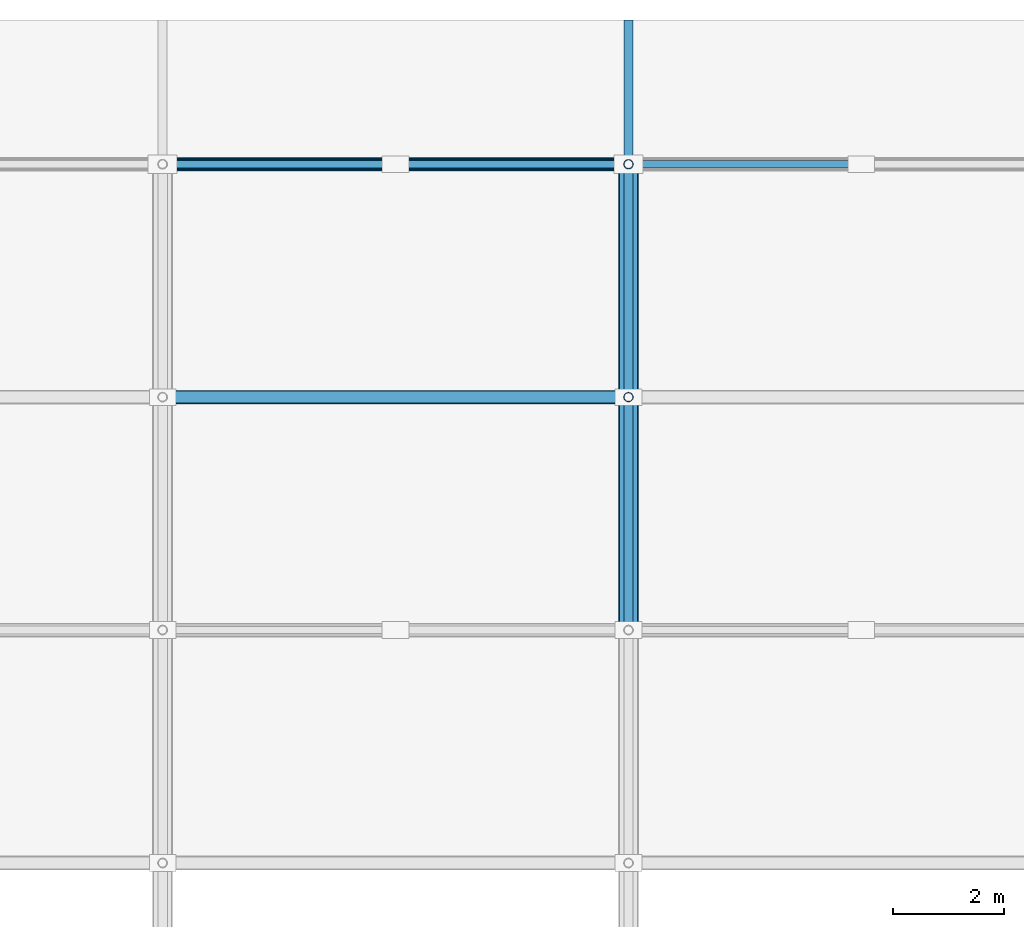
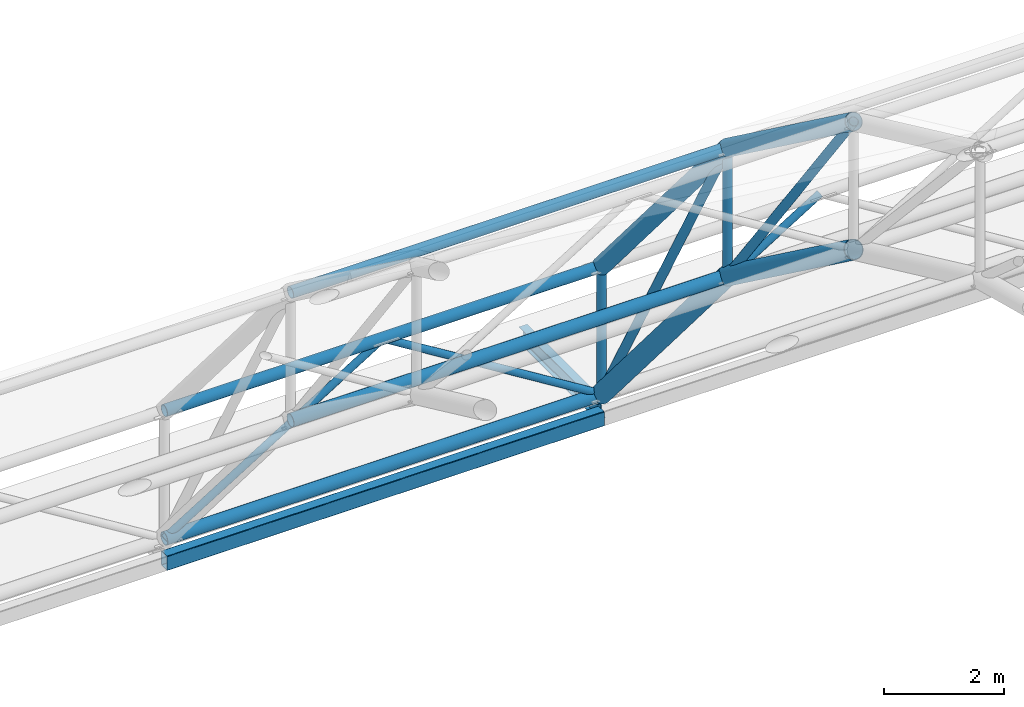
# One storey, part 42 of 103: 11 members, 6 beams.
"""IFC4 building model written with IfcOpenShell, lengths in metres."""

from ifc_helpers import new_model, si_unit, direction, frame, origin, origin_2d, place, context, subcontext, project, spatial, hollow_rectangle, hollow_circle, i_section, extrude, material, material_profile, profile_set, type_object, element, save


model = new_model("IFC4")

# Units and contexts
model_context = context("Model", 3, precision=1e-05, world=origin(), true_north=direction((0.0, 1.0)))
body_context = subcontext(model_context, "Body", "Model", "MODEL_VIEW")
ifc_project = project(units=[si_unit("LENGTHUNIT", "METRE"), si_unit("AREAUNIT", "SQUARE_METRE"), si_unit("VOLUMEUNIT", "CUBIC_METRE"), si_unit("PLANEANGLEUNIT", "RADIAN"), si_unit("MASSUNIT", "GRAM", prefix="KILO")], contexts=[model_context])

# Site, building, storey
site_placement = place(None, origin())
site = spatial("IfcSite", under=ifc_project, at=site_placement, CompositionType="ELEMENT")
building_placement = place(site_placement, origin())
building = spatial("IfcBuilding", under=site, at=building_placement, Name="Varnapada Polytechnic", CompositionType="ELEMENT")
storey_placement = place(building_placement, frame((0.0, 0.0, 18.0)))
storey = spatial("IfcBuildingStorey", under=building, at=storey_placement, Name="L04", CompositionType="ELEMENT", Elevation=18.0)

# Beam
ifc_material = material(Name="Steel S355", Category="steel")
ifc_material_profile_1 = material_profile(ifc_material, i_section(OverallWidth=0.159912109375, OverallDepth=0.330078125, WebThickness=0.007568359375, FlangeThickness=0.011474609375, FilletRadius=0.01806640625, at=origin_2d()), Name="IPE 330")
ifc_profile_set_1 = profile_set([ifc_material_profile_1], Name="Steel S355")
beam_type_1 = type_object("IfcBeamType", Name="Clerestory monitor steel rafter SB-07 (IPE 330)", PredefinedType="BEAM", material=ifc_profile_set_1)
beam_1_placement = place(storey_placement, frame((84.0, 126.0, -0.35009765625), z_axis=(0.0, 1.0, 0.0), x_axis=(-1.0, 0.0, 0.0)))
element("IfcBeam", 1, at=beam_1_placement, inside=storey, type_object=beam_type_1, Name="Workshop eave shade outlooker N.5", PredefinedType="BEAM", context=body_context, shape_type="SweptSolid", body=[
    extrude(i_section(OverallWidth=0.159912109375, OverallDepth=0.330078125, WebThickness=0.007568359375, FlangeThickness=0.011474609375, FilletRadius=0.01806640625, at=origin_2d()), origin(), (0.0, 0.0, 1.0), 2.60009765625),
])

# Members
ifc_material_profile_2 = material_profile(ifc_material, hollow_circle(Radius=0.122314453125, WallThickness=0.008056640625, at=origin_2d()), Name="CHS 244.5x8.0")
ifc_profile_set_2 = profile_set([ifc_material_profile_2], Name="Steel S355")
member_type_1 = type_object("IfcMemberType", Name="Vaulted space frame longitudinal bottom chord SFC-01 (CHS 244.5x8.0)", PredefinedType="CHORD", material=ifc_profile_set_2)
for number, where, z_axis, x_axis, name in (
    (2, (75.60009765625, 121.800048828125, 4.94921875), (1.0, 0.0, 0.0), (0.0, 1.0, 0.0), "Vaulted space frame longitudinal bottom chord 4.10"),
    (3, (75.60009765625, 126.0, 0.0), (1.0, 0.0, 0.0), (0.0, 1.0, 0.0), "Vaulted space frame longitudinal bottom chord 4.11"),
):
    element("IfcMember", number, at=place(storey_placement, frame(where, z_axis=z_axis, x_axis=x_axis)), inside=storey, type_object=member_type_1, Name=name, PredefinedType="CHORD", context=body_context, shape_type="SweptSolid", body=[
        extrude(hollow_circle(Radius=0.122314453125, WallThickness=0.008056640625, at=origin_2d()), origin(), (0.0, 0.0, 1.0), 8.39990234375),
    ])
ifc_material_profile_3 = material_profile(ifc_material, hollow_circle(Radius=0.109619140625, WallThickness=0.008056640625, at=origin_2d()), Name="CHS 219.1x8.0")
ifc_profile_set_3 = profile_set([ifc_material_profile_3], Name="Steel S355")
member_type_2 = type_object("IfcMemberType", Name="Vaulted space frame longitudinal top chord SFC-02 (CHS 219.1x8.0)", PredefinedType="CHORD", material=ifc_profile_set_3)
for number, where, z_axis, x_axis, name in (
    (4, (75.60009765625, 121.800048828125, 7.549072265625), (1.0, 0.0, 0.0), (0.0, 1.0, 0.0), "Vaulted space frame longitudinal top chord 4.10"),
    (5, (75.60009765625, 126.0, 2.60009765625), (1.0, 0.0, 0.0), (0.0, 1.0, 0.0), "Vaulted space frame longitudinal top chord 4.11"),
):
    element("IfcMember", number, at=place(storey_placement, frame(where, z_axis=z_axis, x_axis=x_axis)), inside=storey, type_object=member_type_2, Name=name, PredefinedType="CHORD", context=body_context, shape_type="SweptSolid", body=[
        extrude(hollow_circle(Radius=0.109619140625, WallThickness=0.008056640625, at=origin_2d()), origin(), (0.0, 0.0, 1.0), 8.39990234375),
    ])

# Beams
ifc_material_profile_4 = material_profile(ifc_material, hollow_circle(Radius=0.177734375, WallThickness=0.012451171875, at=origin_2d()), Name="CHS 355.6x12.5")
ifc_profile_set_4 = profile_set([ifc_material_profile_4], Name="Steel S355")
beam_type_2 = type_object("IfcBeamType", Name="Vaulted space frame primary arch rib VA-01 (CHS 355.6x12.5)", PredefinedType="BEAM", material=ifc_profile_set_4)
beam_2_placement = place(storey_placement, frame((84.0, 117.60009765625, 8.02783203125), z_axis=(0.0, 0.806528689778, -0.591194953095), x_axis=(-1.0, 0.0, 0.0)))
element("IfcBeam", 6, at=beam_2_placement, inside=storey, type_object=beam_type_2, Name="Vaulted space frame bottom arch chord 5.9", PredefinedType="BEAM", context=body_context, shape_type="SweptSolid", body=[
    extrude(hollow_circle(Radius=0.177734375, WallThickness=0.012451171875, at=origin_2d()), origin(), (0.0, 0.0, 1.0), 5.20751953125),
])
beam_3_placement = place(storey_placement, frame((84.0, 121.800048828125, 4.94921875), z_axis=(0.0, 0.647032448214, -0.762462465279), x_axis=(-1.0, 0.0, 0.0)))
element("IfcBeam", 7, at=beam_3_placement, inside=storey, type_object=beam_type_2, Name="Vaulted space frame bottom arch chord 5.10", PredefinedType="BEAM", context=body_context, shape_type="SweptSolid", body=[
    extrude(hollow_circle(Radius=0.177734375, WallThickness=0.012451171875, at=origin_2d()), origin(), (0.0, 0.0, 1.0), 6.4912109375),
])

# Members
ifc_material_profile_5 = material_profile(ifc_material, hollow_circle(Radius=0.084228515625, WallThickness=0.00634765625, at=origin_2d()), Name="CHS 168.3x6.3")
ifc_profile_set_5 = profile_set([ifc_material_profile_5], Name="Steel S355")
member_type_3 = type_object("IfcMemberType", Name="Vaulted space frame primary web diagonal SFB-01 (CHS 168.3x6.3)", PredefinedType="BRACE", material=ifc_profile_set_5)
member_1_placement = place(storey_placement, frame((84.0, 117.60009765625, 10.6279296875), z_axis=(0.0, 0.594633036041, -0.803997234105), x_axis=(-1.0, 0.0, 0.0)))
element("IfcMember", 8, at=member_1_placement, inside=storey, type_object=member_type_3, Name="Vaulted space frame web diagonal 5.9", PredefinedType="BRACE", context=body_context, shape_type="SweptSolid", body=[
    extrude(hollow_circle(Radius=0.084228515625, WallThickness=0.00634765625, at=origin_2d()), origin(), (0.0, 0.0, 1.0), 7.06298828125),
])
member_2_placement = place(storey_placement, frame((84.0, 121.800048828125, 7.549072265625), z_axis=(0.0, 0.486175535898, -0.873861172209), x_axis=(-1.0, 0.0, 0.0)))
element("IfcMember", 9, at=member_2_placement, inside=storey, type_object=member_type_3, Name="Vaulted space frame web diagonal 5.10", PredefinedType="BRACE", context=body_context, shape_type="SweptSolid", body=[
    extrude(hollow_circle(Radius=0.084228515625, WallThickness=0.00634765625, at=origin_2d()), origin(), (0.0, 0.0, 1.0), 8.638671875),
])
ifc_material_profile_6 = material_profile(ifc_material, hollow_circle(Radius=0.084228515625, WallThickness=0.00634765625, at=origin_2d()), Name="CHS 168.3x6.3")
ifc_profile_set_6 = profile_set([ifc_material_profile_6], Name="Steel S355")
member_type_4 = type_object("IfcMemberType", Name="Vaulted space frame radial web strut SFS-01 (CHS 168.3x6.3)", PredefinedType="STRUT", material=ifc_profile_set_6)
member_3_placement = place(storey_placement, frame((84.0, 121.800048828125, 4.94921875), z_axis=(0.0, 0.0, 1.0), x_axis=(1.0, 0.0, 0.0)))
element("IfcMember", 10, at=member_3_placement, inside=storey, type_object=member_type_4, Name="Vaulted space frame strut 5.10", PredefinedType="STRUT", context=body_context, shape_type="SweptSolid", body=[
    extrude(hollow_circle(Radius=0.084228515625, WallThickness=0.00634765625, at=origin_2d()), origin(), (0.0, 0.0, 1.0), 2.599853515625),
])
member_4_placement = place(storey_placement, frame((84.0, 126.0, 0.0), z_axis=(0.0, 0.0, 1.0), x_axis=(1.0, 0.0, 0.0)))
element("IfcMember", 11, at=member_4_placement, inside=storey, type_object=member_type_4, Name="Vaulted space frame strut 5.11", PredefinedType="STRUT", context=body_context, shape_type="SweptSolid", body=[
    extrude(hollow_circle(Radius=0.084228515625, WallThickness=0.00634765625, at=origin_2d()), origin(), (0.0, 0.0, 1.0), 2.60009765625),
])
ifc_material_profile_7 = material_profile(ifc_material, hollow_circle(Radius=0.06982421875, WallThickness=0.0048828125, at=origin_2d()), Name="CHS 139.7x5.0")
ifc_profile_set_7 = profile_set([ifc_material_profile_7], Name="Steel S355")
member_type_5 = type_object("IfcMemberType", Name="Vaulted space frame secondary web diagonal SFB-02 (CHS 139.7x5.0)", PredefinedType="BRACE", material=ifc_profile_set_7)
for number, where, z_axis, x_axis, name in (
    (12, (75.60009765625, 126.0, 0.0), (0.85025356003, 0.0, 0.526373331065), (0.0, 1.0, 0.0), "Vaulted space frame longitudinal brace 4.11A"),
    (13, (84.0, 126.0, 0.0), (-0.85025356003, 0.0, 0.526373331065), (0.0, -1.0, 0.0), "Vaulted space frame longitudinal brace 4.11B"),
    (14, (84.0, 126.0, 0.0), (0.85025356003, 0.0, 0.526373331065), (0.0, 1.0, 0.0), "Vaulted space frame longitudinal brace 5.11A"),
):
    element("IfcMember", number, at=place(storey_placement, frame(where, z_axis=z_axis, x_axis=x_axis)), inside=storey, type_object=member_type_5, Name=name, PredefinedType="BRACE", context=body_context, shape_type="SweptSolid", body=[
        extrude(hollow_circle(Radius=0.06982421875, WallThickness=0.0048828125, at=origin_2d()), origin(), (0.0, 0.0, 1.0), 4.939697265625),
    ])

# Beams
ifc_material_profile_8 = material_profile(ifc_material, hollow_circle(Radius=0.161865234375, WallThickness=0.010009765625, at=origin_2d()), Name="CHS 323.9x10.0")
ifc_profile_set_8 = profile_set([ifc_material_profile_8], Name="Steel S355")
beam_type_3 = type_object("IfcBeamType", Name="Vaulted space frame upper arch rib VA-02 (CHS 323.9x10.0)", PredefinedType="BEAM", material=ifc_profile_set_8)
beam_4_placement = place(storey_placement, frame((84.0, 117.60009765625, 10.6279296875), z_axis=(0.0, 0.806506335259, -0.591225448698), x_axis=(-1.0, 0.0, 0.0)))
element("IfcBeam", 15, at=beam_4_placement, inside=storey, type_object=beam_type_3, Name="Vaulted space frame top arch chord 5.9", PredefinedType="BEAM", context=body_context, shape_type="SweptSolid", body=[
    extrude(hollow_circle(Radius=0.161865234375, WallThickness=0.010009765625, at=origin_2d()), origin(), (0.0, 0.0, 1.0), 5.20751953125),
])
beam_5_placement = place(storey_placement, frame((84.0, 121.800048828125, 7.549072265625), z_axis=(0.0, 0.647051003787, -0.762446718465), x_axis=(-1.0, 0.0, 0.0)))
element("IfcBeam", 16, at=beam_5_placement, inside=storey, type_object=beam_type_3, Name="Vaulted space frame top arch chord 5.10", PredefinedType="BEAM", context=body_context, shape_type="SweptSolid", body=[
    extrude(hollow_circle(Radius=0.161865234375, WallThickness=0.010009765625, at=origin_2d()), origin(), (0.0, 0.0, 1.0), 6.490966796875),
])
ifc_material_profile_9 = material_profile(ifc_material, hollow_rectangle(XDim=0.199951171875, YDim=0.300048828125, WallThickness=0.010009765625, InnerFilletRadius=0.010009765625, OuterFilletRadius=0.02001953125, at=origin_2d()), Name="RHS 300x200x10")
ifc_profile_set_9 = profile_set([ifc_material_profile_9], Name="Steel S355")
beam_type_4 = type_object("IfcBeamType", Name="Workshop steel spandrel tie SP-03 (RHS 300x200x10)", PredefinedType="SPANDREL", material=ifc_profile_set_9)
beam_6_placement = place(storey_placement, frame((75.60009765625, 126.0, -0.449951171875), z_axis=(1.0, 0.0, 0.0), x_axis=(0.0, 1.0, 0.0)))
element("IfcBeam", 17, at=beam_6_placement, inside=storey, type_object=beam_type_4, Name="L04 workshop clerestory tie X10-11 Y16", PredefinedType="SPANDREL", context=body_context, shape_type="SweptSolid", body=[
    extrude(hollow_rectangle(XDim=0.199951171875, YDim=0.300048828125, WallThickness=0.010009765625, InnerFilletRadius=0.010009765625, OuterFilletRadius=0.02001953125, at=origin_2d()), origin(), (0.0, 0.0, 1.0), 8.39990234375),
])

save(model, "model.ifc")
